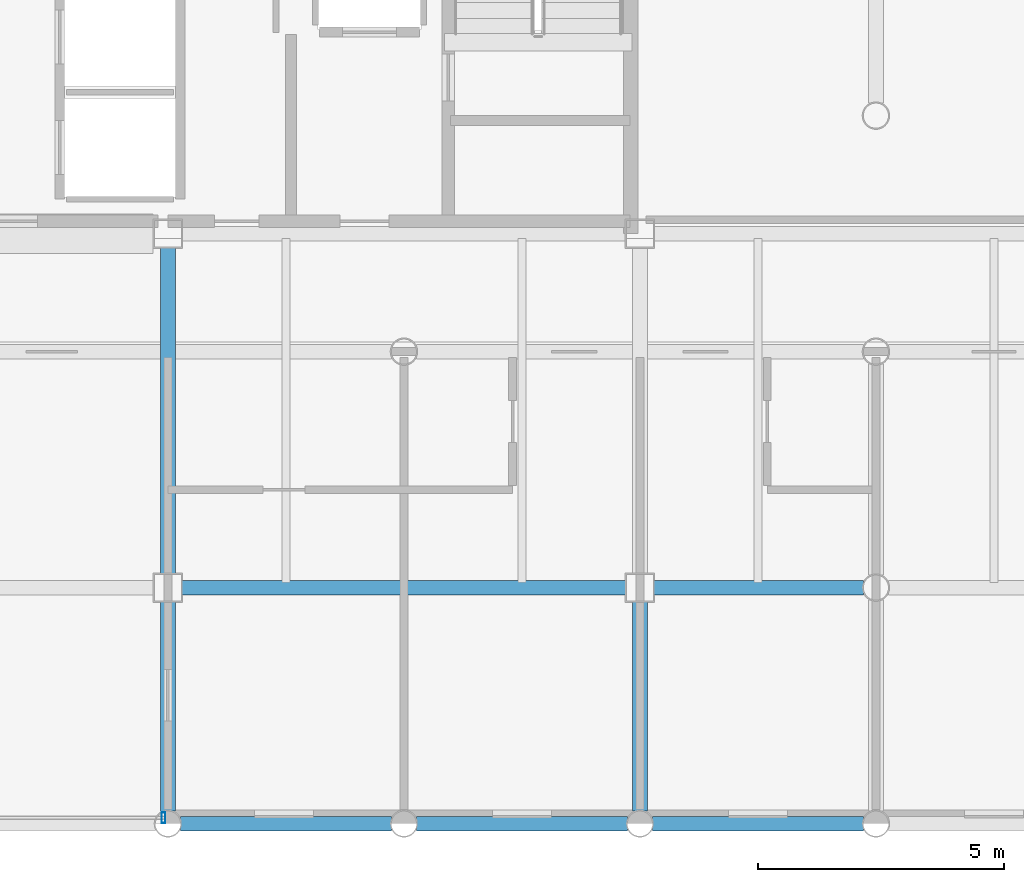
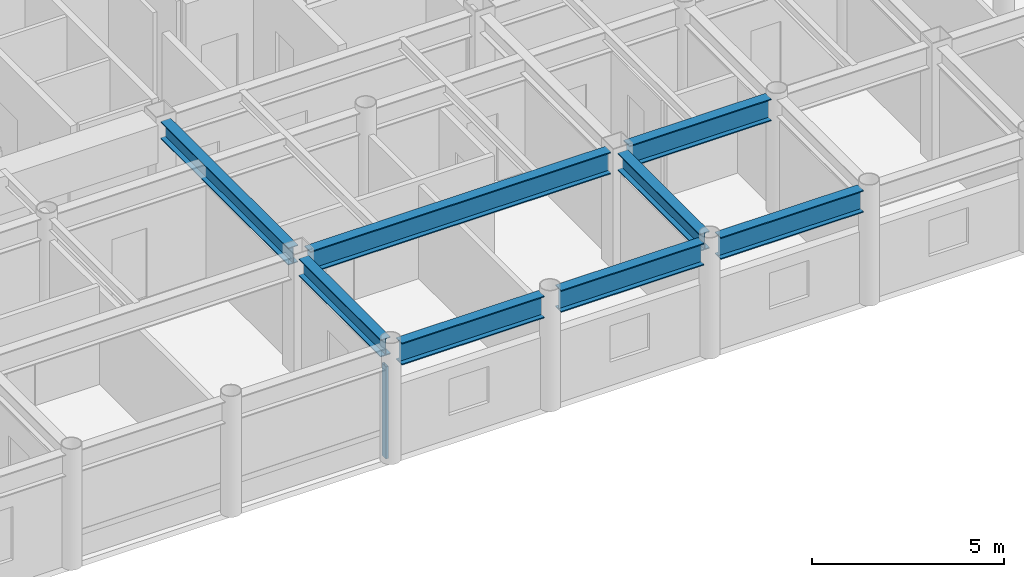
# One storey, part 8 of 24: 8 beams, 1 member, 1 element without a shape of its own.
"""IFC4 building model written with IfcOpenShell, lengths in metres."""

from ifc_helpers import new_model, si_unit, direction, frame, origin, origin_2d, place, context, subcontext, project, spatial, hollow_rectangle, i_section, extrude, material, layer, layer_set, material_profile, profile_set, type_object, element, aggregate, save


model = new_model("IFC4")

# Units and contexts
model_context = context("Model", 3, precision=1e-05, world=origin(), true_north=direction((0.0, 1.0)))
body_context = subcontext(model_context, "Body", "Model", "MODEL_VIEW")
ifc_project = project(units=[si_unit("LENGTHUNIT", "METRE"), si_unit("AREAUNIT", "SQUARE_METRE"), si_unit("VOLUMEUNIT", "CUBIC_METRE"), si_unit("PLANEANGLEUNIT", "RADIAN"), si_unit("MASSUNIT", "GRAM", prefix="KILO")], contexts=[model_context])

# Site, building, storey
site_placement = place(None, origin())
site = spatial("IfcSite", under=ifc_project, at=site_placement, CompositionType="ELEMENT")
building_placement = place(site_placement, origin())
building = spatial("IfcBuilding", under=site, at=building_placement, Name="Kallvorn Hotel Tower", CompositionType="ELEMENT")
storey_placement = place(building_placement, frame((0.0, 0.0, 233.85009765625)))
storey = spatial("IfcBuildingStorey", under=building, at=storey_placement, Name="L58", CompositionType="ELEMENT", Elevation=233.85009765625)

# Beams
ifc_material_1 = material(Name="Structural steel S355JR", Category="steel")
ifc_material_profile_1 = material_profile(ifc_material_1, i_section(OverallWidth=0.300048828125, OverallDepth=0.550048828125, WebThickness=0.014892578125, FlangeThickness=0.029052734375, at=origin_2d()), Name="HE 550 B")
ifc_profile_set_1 = profile_set([ifc_material_profile_1], Name="Structural steel S355JR")
beam_type_1 = type_object("IfcBeamType", Name="BM_HE550B", PredefinedType="SPANDREL", material=ifc_profile_set_1)
beam_1_placement = place(storey_placement, frame((4.800048828125, -18.945556640625, 3.39501953125), z_axis=(0.0, 1.0, 0.0), x_axis=(-1.0, 0.0, 0.0)))
element("IfcBeam", 1, at=beam_1_placement, inside=storey, type_object=beam_type_1, Name="L59 Primary Y-Girder 113", PredefinedType="SPANDREL", context=body_context, shape_type="SweptSolid", body=[
    extrude(i_section(OverallWidth=0.300048828125, OverallDepth=0.550048828125, WebThickness=0.014892578125, FlangeThickness=0.029052734375, at=origin_2d()), origin(), (0.0, 0.0, 1.0), 4.2705078125),
])
beam_2_placement = place(storey_placement, frame((4.800048828125, -14.125, 3.39501953125), z_axis=(0.0, 1.0, 0.0), x_axis=(-1.0, 0.0, 0.0)))
element("IfcBeam", 2, at=beam_2_placement, inside=storey, type_object=beam_type_1, Name="L59 Primary Y-Girder 114", PredefinedType="SPANDREL", context=body_context, shape_type="SweptSolid", body=[
    extrude(i_section(OverallWidth=0.300048828125, OverallDepth=0.550048828125, WebThickness=0.014892578125, FlangeThickness=0.029052734375, at=origin_2d()), origin(), (0.0, 0.0, 1.0), 6.64990234375),
])
beam_3_placement = place(storey_placement, frame((14.39990234375, -18.945556640625, 3.39501953125), z_axis=(0.0, 1.0, 0.0), x_axis=(-1.0, 0.0, 0.0)))
element("IfcBeam", 3, at=beam_3_placement, inside=storey, type_object=beam_type_1, Name="L59 Primary Y-Girder 121", PredefinedType="SPANDREL", context=body_context, shape_type="SweptSolid", body=[
    extrude(i_section(OverallWidth=0.300048828125, OverallDepth=0.550048828125, WebThickness=0.014892578125, FlangeThickness=0.029052734375, at=origin_2d()), origin(), (0.0, 0.0, 1.0), 4.2705078125),
])
ifc_material_2 = material(Name="Structural steel S355JR", Category="steel")
ifc_material_profile_2 = material_profile(ifc_material_2, i_section(OverallWidth=0.300048828125, OverallDepth=0.699951171875, WebThickness=0.01708984375, FlangeThickness=0.031982421875, at=origin_2d()), Name="HE 700 B")
ifc_profile_set_2 = profile_set([ifc_material_profile_2], Name="Structural steel S355JR")
beam_type_2 = type_object("IfcBeamType", Name="BM_HE700B", PredefinedType="BEAM", material=ifc_profile_set_2)
for number, where, z_axis, x_axis, name in (
    (4, (5.054443359375, -19.199951171875, 3.31982421875), (1.0, 0.0, 0.0), (0.0, 1.0, 0.0), "L59 Primary X-Girder 08"),
    (5, (9.8544921875, -19.199951171875, 3.31982421875), (1.0, 0.0, 0.0), (0.0, 1.0, 0.0), "L59 Primary X-Girder 09"),
    (6, (14.654541015625, -19.199951171875, 3.31982421875), (1.0, 0.0, 0.0), (0.0, 1.0, 0.0), "L59 Primary X-Girder 10"),
):
    element("IfcBeam", number, at=place(storey_placement, frame(where, z_axis=z_axis, x_axis=x_axis)), inside=storey, type_object=beam_type_2, Name=name, PredefinedType="BEAM", context=body_context, shape_type="SweptSolid", body=[
        extrude(i_section(OverallWidth=0.300048828125, OverallDepth=0.699951171875, WebThickness=0.01708984375, FlangeThickness=0.031982421875, at=origin_2d()), origin(), (0.0, 0.0, 1.0), 4.291015625),
    ])
beam_4_placement = place(storey_placement, frame((5.074951171875, -14.39990234375, 3.31982421875), z_axis=(1.0, 0.0, 0.0), x_axis=(0.0, 1.0, 0.0)))
element("IfcBeam", 7, at=beam_4_placement, inside=storey, type_object=beam_type_2, Name="L59 Primary X-Girder 18", PredefinedType="BEAM", context=body_context, shape_type="SweptSolid", body=[
    extrude(i_section(OverallWidth=0.300048828125, OverallDepth=0.699951171875, WebThickness=0.01708984375, FlangeThickness=0.031982421875, at=origin_2d()), origin(), (0.0, 0.0, 1.0), 9.050048828125),
])
beam_5_placement = place(storey_placement, frame((14.675048828125, -14.39990234375, 3.31982421875), z_axis=(1.0, 0.0, 0.0), x_axis=(0.0, 1.0, 0.0)))
element("IfcBeam", 8, at=beam_5_placement, inside=storey, type_object=beam_type_2, Name="L59 Primary X-Girder 19", PredefinedType="BEAM", context=body_context, shape_type="SweptSolid", body=[
    extrude(i_section(OverallWidth=0.300048828125, OverallDepth=0.699951171875, WebThickness=0.01708984375, FlangeThickness=0.031982421875, at=origin_2d()), origin(), (0.0, 0.0, 1.0), 4.2705078125),
])

# Curtain wall, member
ifc_material_3 = material(Name="Thermally broken black-anodised aluminium AA 6063-T6", Category="aluminium")
ifc_layer = layer(ifc_material_3, 0.22998046875)
ifc_layer_set = layer_set([ifc_layer], Name="CW_SYS_5_HOTEL_HIGH")
curtain_wall_type = type_object("IfcCurtainWallType", Name="CW_SYS_5_HOTEL_HIGH", PredefinedType="USERDEFINED", material=ifc_layer_set)
curtain_wall_placement = place(storey_placement, origin())
curtain_wall = element("IfcCurtainWall", 9, at=curtain_wall_placement, inside=storey, type_object=curtain_wall_type, Name="L58 Dark-Glass Curtain Wall CW-L58-SC", ObjectType="UNITISED CURTAIN WALL", PredefinedType="USERDEFINED")
ifc_material_4 = material(Name="Thermally broken black-anodised aluminium AA 6063-T6", Category="aluminium")
ifc_material_profile_3 = material_profile(ifc_material_4, hollow_rectangle(XDim=0.080078125, YDim=0.219970703125, WallThickness=0.0048828125, at=origin_2d()), Name="MUL 220x80")
ifc_profile_set_3 = profile_set([ifc_material_profile_3], Name="Thermally broken black-anodised aluminium AA 6063-T6")
member_type = type_object("IfcMemberType", Name="CW_MULLION_220x80", PredefinedType="MULLION", material=ifc_profile_set_3)
member_placement = place(storey_placement, frame((4.7099609375, -19.080078125, 0.02001953125), z_axis=(0.0, 0.0, 1.0), x_axis=(1.0, 0.0, 0.0)))
member = element("IfcMember", 10, at=member_placement, type_object=member_type, Name="CW-L58-SC Mullion 02", PredefinedType="MULLION", context=body_context, shape_type="SweptSolid", body=[
    extrude(hollow_rectangle(XDim=0.080078125, YDim=0.219970703125, WallThickness=0.0048828125, at=origin_2d()), origin(), (0.0, 0.0, 1.0), 2.929931640625),
])
aggregate(curtain_wall, [member])

save(model, "model.ifc")
